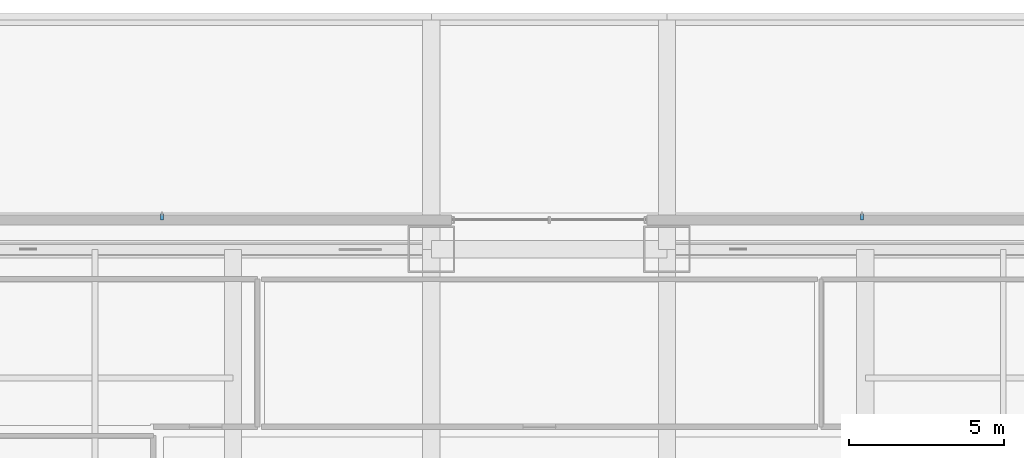
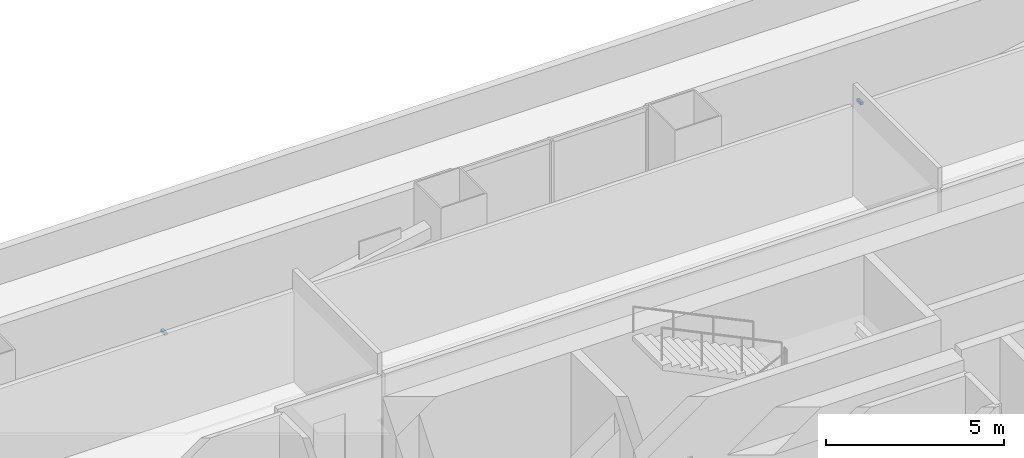
# One storey, part 19 of 30: 2 discrete accessories.
"""IFC4 building model written with IfcOpenShell, lengths in metres."""

from ifc_helpers import new_model, si_unit, direction, frame, origin, origin_2d, place, context, subcontext, project, spatial, rectangle, extrude, material, type_object, element, save


model = new_model("IFC4")

# Units and contexts
model_context = context("Model", 3, precision=1e-05, world=origin(), true_north=direction((0.0, 1.0)))
body_context = subcontext(model_context, "Body", "Model", "MODEL_VIEW")
ifc_project = project(units=[si_unit("LENGTHUNIT", "METRE"), si_unit("AREAUNIT", "SQUARE_METRE"), si_unit("VOLUMEUNIT", "CUBIC_METRE"), si_unit("PLANEANGLEUNIT", "RADIAN"), si_unit("MASSUNIT", "GRAM", prefix="KILO")], contexts=[model_context])

# Site, building, storey
site_placement = place(None, origin())
site = spatial("IfcSite", under=ifc_project, at=site_placement, CompositionType="ELEMENT")
building_placement = place(site_placement, origin())
building = spatial("IfcBuilding", under=site, at=building_placement, Name="Punatoya Terracotta Tower", CompositionType="ELEMENT")
storey_placement = place(building_placement, frame((0.0, 0.0, 28.199951171875)))
storey = spatial("IfcBuildingStorey", under=building, at=storey_placement, Name="L05", CompositionType="ELEMENT", Elevation=28.199951171875)

# Discrete accessories
ifc_material = material(Name="Steel S355", Category="steel")
discrete_accessory_type = type_object("IfcDiscreteAccessoryType", Name="ACC-BRK-220", PredefinedType="BRACKET", material=ifc_material)
for number, where, z_axis, x_axis, name in (
    (1, (10.093505859375, 18.550048828125, 1.449951171875), (0.0, 0.0, 1.0), (-1.0, 0.0, 0.0), "L05 Jali Fin Support Bracket N1"),
    (2, (-12.493408203125, 18.550048828125, 1.449951171875), (0.0, 0.0, 1.0), (-1.0, 0.0, 0.0), "L05 Jali Fin Support Bracket N2"),
):
    element("IfcDiscreteAccessory", number, at=place(storey_placement, frame(where, z_axis=z_axis, x_axis=x_axis)), inside=storey, type_object=discrete_accessory_type, Name=name, PredefinedType="BRACKET", context=body_context, shape_type="SweptSolid", body=[
        extrude(rectangle(XDim=0.090087890625, YDim=0.219970703125, at=origin_2d()), origin(), (0.0, 0.0, 1.0), 0.10009765625),
    ])

save(model, "model.ifc")
